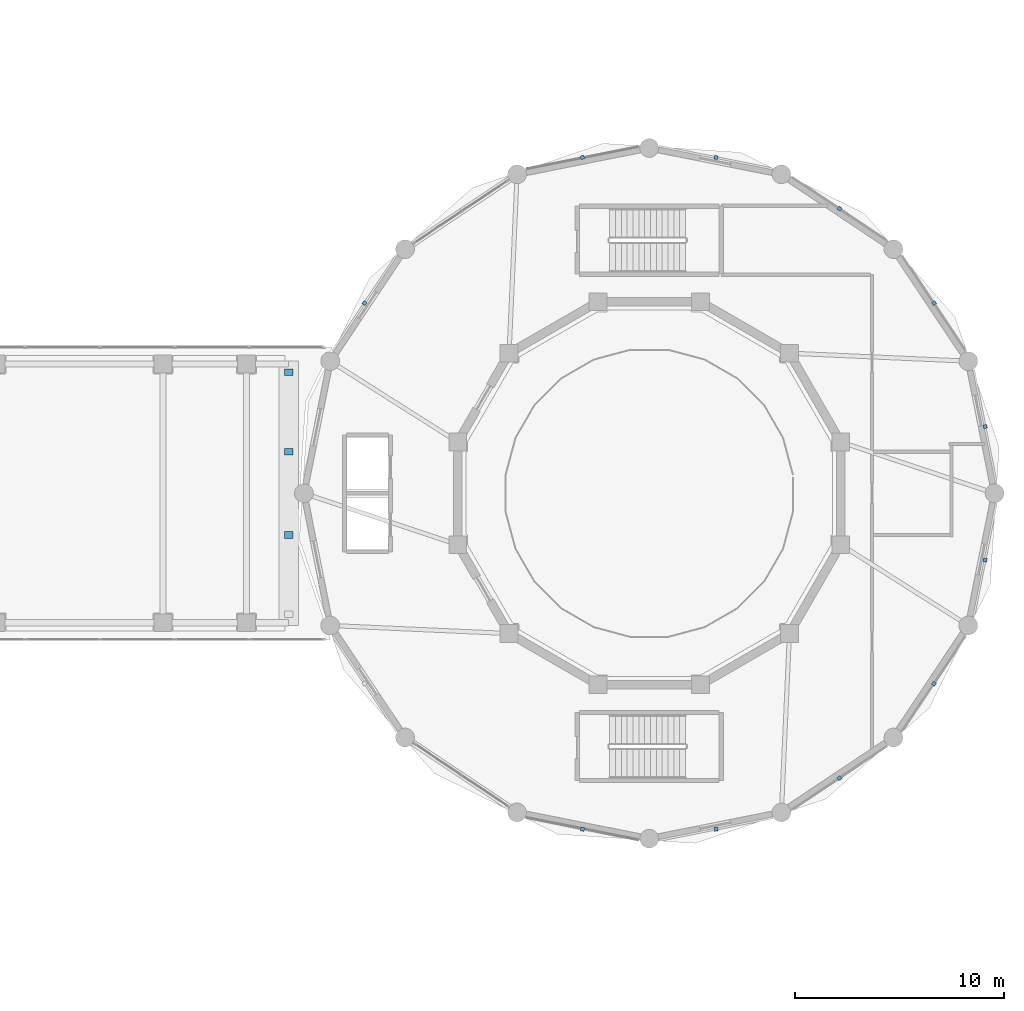
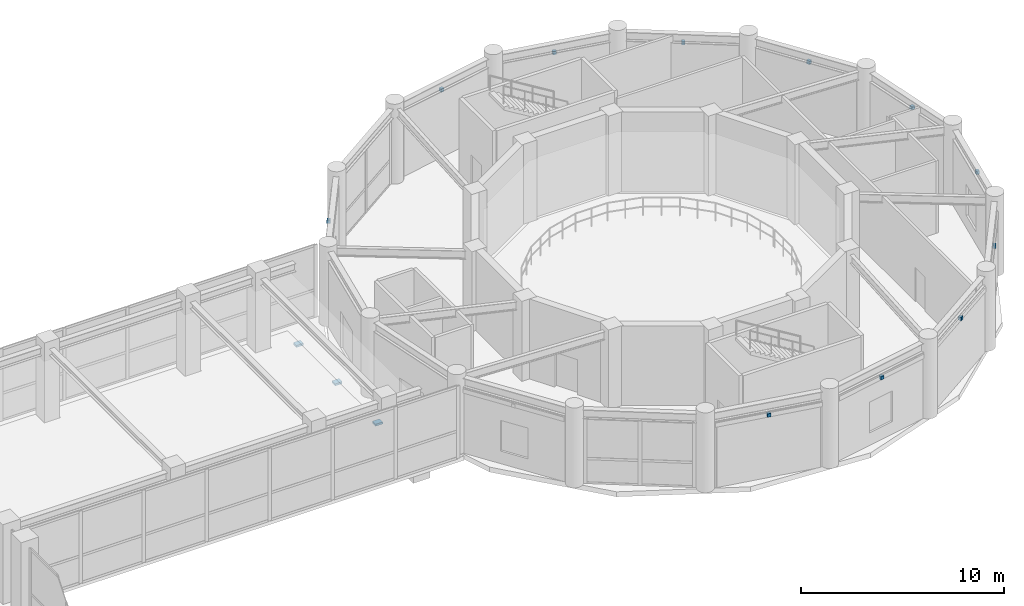
# One storey, part 38 of 44: 14 discrete accessories.
"""IFC4 building model written with IfcOpenShell, lengths in metres."""

from ifc_helpers import new_model, si_unit, derived_unit, direction, frame, origin, origin_2d, place, context, subcontext, project, spatial, rectangle, extrude, source, transform, mapped, material, type_object, element, save


model = new_model("IFC4")

# Units and contexts
model_context = context("Model", 3, precision=1e-05, world=origin(), true_north=direction((0.0, 1.0)))
body_context = subcontext(model_context, "Body", "Model", "MODEL_VIEW")
ifc_project = project(units=[si_unit("LENGTHUNIT", "METRE"), si_unit("AREAUNIT", "SQUARE_METRE"), si_unit("VOLUMEUNIT", "CUBIC_METRE"), si_unit("PLANEANGLEUNIT", "RADIAN"), si_unit("MASSUNIT", "GRAM", prefix="KILO"), derived_unit("THERMALTRANSMITTANCEUNIT", [(si_unit("POWERUNIT", "WATT"), 1), (si_unit("LENGTHUNIT", "METRE"), -2), (si_unit("THERMODYNAMICTEMPERATUREUNIT", "KELVIN"), -1)])], contexts=[model_context])

# Site, building, storey
site_placement = place(None, origin())
site = spatial("IfcSite", under=ifc_project, at=site_placement, CompositionType="ELEMENT")
building_placement = place(site_placement, origin())
building = spatial("IfcBuilding", under=site, at=building_placement, Name="Korsvarv Bourse and Concert Hall", CompositionType="ELEMENT")
storey_placement = place(building_placement, frame((0.0, 0.0, 9.60009765625)))
storey = spatial("IfcBuildingStorey", under=building, at=storey_placement, Name="L02", CompositionType="ELEMENT", Elevation=9.60009765625)

# Discrete accessories
ifc_material_1 = material(Name="Steel S355 and PTFE bearing", Category="steel")
discrete_accessory_type_1 = type_object("IfcDiscreteAccessoryType", Name="ACC-PTFE", PredefinedType="USERDEFINED", material=ifc_material_1)
shared_shape_1 = source(origin(), body_context, "Body", "SweptSolid", [
    extrude(rectangle(XDim=0.39990234375, YDim=0.320068359375, at=origin_2d()), origin(), (0.0, 0.0, 1.0), 0.1201171875),
])
for number, where, z_axis, x_axis, name in (
    (1, (89.52001953125, 34.0, -0.380126953125), (0.0, 0.0, 1.0), (1.0, 0.0, 0.0), "L02 link gallery PTFE sliding bearing 2"),
    (2, (89.52001953125, 38.0, -0.380126953125), (0.0, 0.0, 1.0), (1.0, 0.0, 0.0), "L02 link gallery PTFE sliding bearing 3"),
    (3, (89.52001953125, 41.800048828125, -0.380126953125), (0.0, 0.0, 1.0), (1.0, 0.0, 0.0), "L02 link gallery PTFE sliding bearing 4"),
):
    element("IfcDiscreteAccessory", number, at=place(storey_placement, frame(where, z_axis=z_axis, x_axis=x_axis)), inside=storey, type_object=discrete_accessory_type_1, Name=name, ObjectType="SLIDING BEARING", PredefinedType="USERDEFINED", context=body_context, shape_type="MappedRepresentation", body=[
        mapped(shared_shape_1, transform((0.0, 0.0, 0.0), scale=1.0)),
    ])
ifc_material_2 = material(Name="Stainless Steel S355 facade outrigger bracket", Category="steel")
discrete_accessory_type_2 = type_object("IfcDiscreteAccessoryType", Name="ACC-BRK-1", PredefinedType="BRACKET", material=ifc_material_2)
shared_shape_2 = source(origin(), body_context, "Body", "SweptSolid", [
    extrude(rectangle(XDim=0.179931640625, YDim=0.179931640625, at=origin_2d()), origin(), (0.0, 0.0, 1.0), 0.199951171875),
])
for number, where, z_axis, x_axis, name in (
    (4, (122.896484375, 39.201904296875, 3.68994140625), (0.0, 0.0, 1.0), (-0.195090322016, 0.980785280403, 0.0), "L02 terracotta sunshade bracket EW-L02-CHD01"),
    (5, (120.446044921875, 45.117919921875, 3.68994140625), (0.0, 0.0, 1.0), (-0.55557023302, 0.831469612303, 0.0), "L02 terracotta sunshade bracket EW-L02-CHD02"),
    (6, (115.91796875, 49.64599609375, 3.68994140625), (0.0, 0.0, 1.0), (-0.831469612303, 0.55557023302, 0.0), "L02 terracotta sunshade bracket EW-L02-CHD03"),
    (7, (110.001708984375, 52.0966796875, 3.68994140625), (0.0, 0.0, 1.0), (-0.980785280403, 0.195090322016, 0.0), "L02 terracotta sunshade bracket EW-L02-CHD04"),
    (8, (103.59814453125, 52.0966796875, 3.68994140625), (0.0, 0.0, 1.0), (-0.980785280403, -0.195090322016, 0.0), "L02 terracotta sunshade bracket EW-L02-CHD05"),
    (9, (93.15380859375, 45.117919921875, 3.68994140625), (0.0, 0.0, 1.0), (-0.55557023302, -0.831469612303, 0.0), "L02 terracotta sunshade bracket EW-L02-CHD07"),
    (10, (103.59814453125, 19.9033203125, 3.68994140625), (0.0, 0.0, 1.0), (0.980785280403, -0.195090322016, 0.0), "L02 terracotta sunshade bracket EW-L02-CHD12"),
    (11, (110.001708984375, 19.9033203125, 3.68994140625), (0.0, 0.0, 1.0), (0.980785280403, 0.195090322016, 0.0), "L02 terracotta sunshade bracket EW-L02-CHD13"),
    (12, (115.91796875, 22.35400390625, 3.68994140625), (0.0, 0.0, 1.0), (0.831469612303, 0.55557023302, 0.0), "L02 terracotta sunshade bracket EW-L02-CHD14"),
    (13, (120.446044921875, 26.882080078125, 3.68994140625), (0.0, 0.0, 1.0), (0.55557023302, 0.831469612303, 0.0), "L02 terracotta sunshade bracket EW-L02-CHD15"),
    (14, (122.896484375, 32.798095703125, 3.68994140625), (0.0, 0.0, 1.0), (0.195090322016, 0.980785280403, 0.0), "L02 terracotta sunshade bracket EW-L02-CHD16"),
):
    element("IfcDiscreteAccessory", number, at=place(storey_placement, frame(where, z_axis=z_axis, x_axis=x_axis)), inside=storey, type_object=discrete_accessory_type_2, Name=name, PredefinedType="BRACKET", context=body_context, shape_type="MappedRepresentation", body=[
        mapped(shared_shape_2, transform((0.0, 0.0, 0.0), scale=1.0)),
    ])

save(model, "model.ifc")
